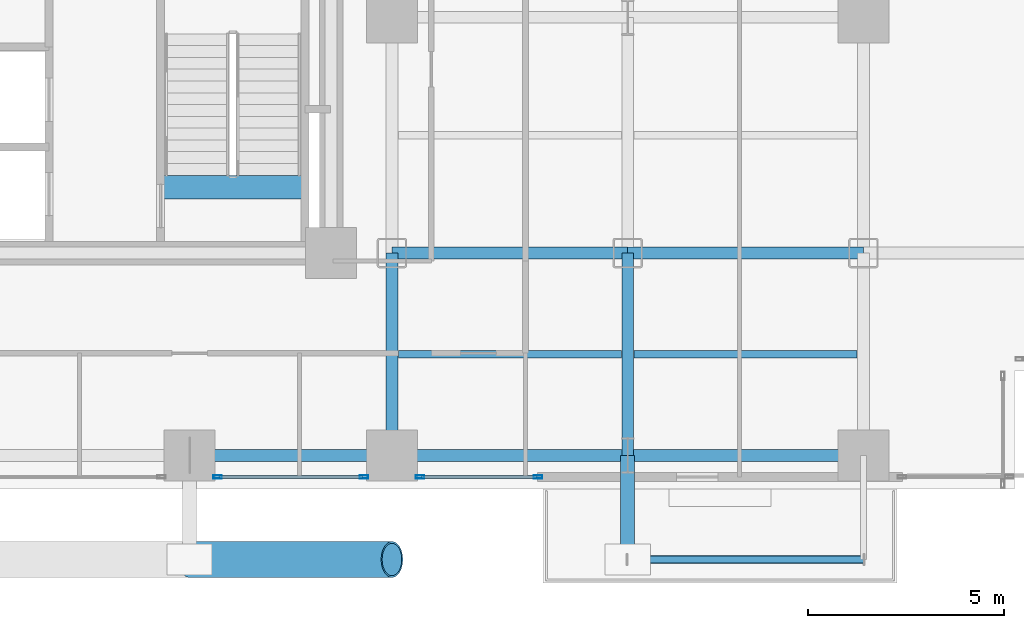
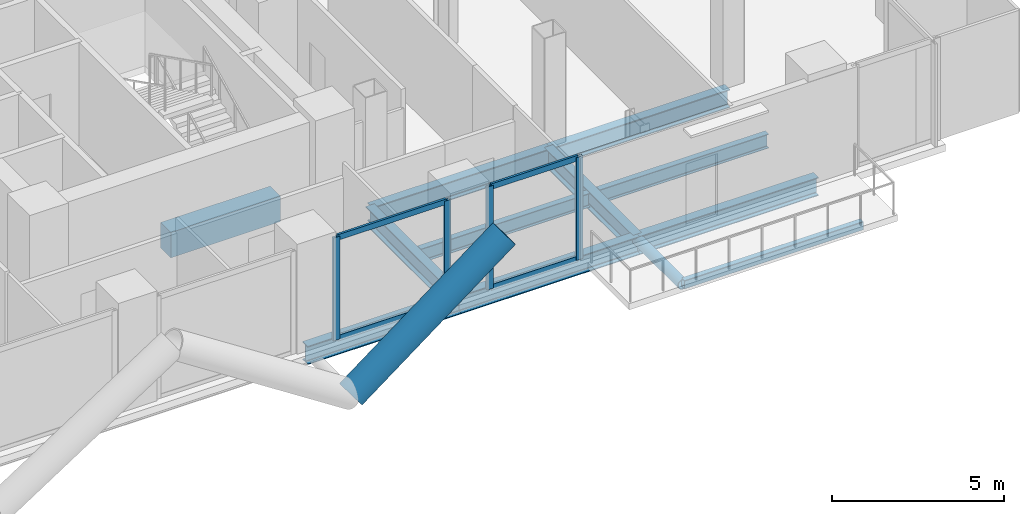
# One storey, part 8 of 27: 11 beams, 10 members, 2 elements without a shape of their own.
"""IFC4 building model written with IfcOpenShell, lengths in metres."""

from ifc_helpers import new_model, si_unit, direction, frame, origin, origin_2d, place, context, subcontext, project, spatial, rectangle, hollow_rectangle, hollow_circle, i_section, extrude, material, layer, layer_set, material_profile, profile_set, type_object, element, aggregate, save


model = new_model("IFC4")

# Units and contexts
model_context = context("Model", 3, precision=1e-05, world=origin(), true_north=direction((0.0, 1.0)))
body_context = subcontext(model_context, "Body", "Model", "MODEL_VIEW")
ifc_project = project(units=[si_unit("LENGTHUNIT", "METRE"), si_unit("AREAUNIT", "SQUARE_METRE"), si_unit("VOLUMEUNIT", "CUBIC_METRE"), si_unit("PLANEANGLEUNIT", "RADIAN"), si_unit("MASSUNIT", "GRAM", prefix="KILO"), si_unit("THERMODYNAMICTEMPERATUREUNIT", "KELVIN"), si_unit("POWERUNIT", "WATT")], contexts=[model_context])

# Site, building, storey
site_placement = place(None, origin())
site = spatial("IfcSite", under=ifc_project, at=site_placement, CompositionType="ELEMENT")
building_placement = place(site_placement, origin())
building = spatial("IfcBuilding", under=site, at=building_placement, Name="Svarakhadi Broadcast Tower", CompositionType="ELEMENT")
storey_placement = place(building_placement, frame((0.0, 0.0, 40.199951171875)))
storey = spatial("IfcBuildingStorey", under=building, at=storey_placement, Name="L08", CompositionType="ELEMENT", Elevation=40.199951171875)

# Beams
ifc_material_1 = material(Name="Steel S355J2 (IS 2062 E350C)", Category="steel")
ifc_material_profile_1 = material_profile(ifc_material_1, i_section(OverallWidth=0.199951171875, OverallDepth=0.5, WebThickness=0.01025390625, FlangeThickness=0.01611328125, FilletRadius=0.02099609375, at=origin_2d()), Name="NPB 500x200x91")
ifc_profile_set_1 = profile_set([ifc_material_profile_1], Name="Steel S355J2 (IS 2062 E350C)")
beam_type_1 = type_object("IfcBeamType", Name="Beam_NPB500", PredefinedType="BEAM", material=ifc_profile_set_1)
for number, where, z_axis, x_axis, name in (
    (1, (35.31005859375, 3.425048828125, -0.5), (1.0, 0.0, 0.0), (0.0, 1.0, 0.0), "L08 Secondary Composite Beam SB022"),
    (2, (41.31005859375, 3.425048828125, -0.5), (1.0, 0.0, 0.0), (0.0, 1.0, 0.0), "L08 Secondary Composite Beam SB025"),
):
    element("IfcBeam", number, at=place(storey_placement, frame(where, z_axis=z_axis, x_axis=x_axis)), inside=storey, type_object=beam_type_1, Name=name, PredefinedType="BEAM", context=body_context, shape_type="SweptSolid", body=[
        extrude(i_section(OverallWidth=0.199951171875, OverallDepth=0.5, WebThickness=0.01025390625, FlangeThickness=0.01611328125, FilletRadius=0.02099609375, at=origin_2d()), origin(), (0.0, 0.0, 1.0), 5.679931640625),
    ])

# Curtain wall, members
ifc_material_2 = material(Name="Anodised Bronze Aluminium AA 6063-T6", Category="aluminium")
ifc_layer = layer(ifc_material_2, 0.219970703125)
ifc_layer_set = layer_set([ifc_layer], Name="Anodised Bronze Aluminium AA 6063-T6")
curtain_wall_type = type_object("IfcCurtainWallType", Name="CW_Sys_02", PredefinedType="NOTDEFINED", material=ifc_layer_set)
curtain_wall_1_placement = place(storey_placement, origin())
curtain_wall_1 = element("IfcCurtainWall", 3, at=curtain_wall_1_placement, inside=storey, type_object=curtain_wall_type, Name="L08 South Curtain Wall 17 Bay 1", PredefinedType="NOTDEFINED")
ifc_material_profile_2 = material_profile(ifc_material_2, hollow_rectangle(XDim=0.0849609375, YDim=0.219970703125, WallThickness=0.006103515625, at=origin_2d()), Name="ALU MULLION 220x85x6")
ifc_profile_set_2 = profile_set([ifc_material_profile_2], Name="Anodised Bronze Aluminium AA 6063-T6")
member_type_1 = type_object("IfcMemberType", Name="CW_Sys_02_Mul", PredefinedType="MULLION", material=ifc_profile_set_2)
member_1_placement = place(storey_placement, frame((38.867431640625, 0.300048828125, 0.0), z_axis=(0.0, 0.0, 1.0), x_axis=(0.0, -1.0, 0.0)))
member_1 = element("IfcMember", 4, at=member_1_placement, type_object=member_type_1, Name="CW-02 mullion 1", PredefinedType="MULLION", context=body_context, shape_type="SweptSolid", body=[
    extrude(hollow_rectangle(XDim=0.0849609375, YDim=0.219970703125, WallThickness=0.006103515625, at=origin_2d()), origin(), (0.0, 0.0, 1.0), 3.650146484375),
])
member_2_placement = place(storey_placement, frame((35.862548828125, 0.300048828125, 0.0), z_axis=(0.0, 0.0, 1.0), x_axis=(0.0, -1.0, 0.0)))
member_2 = element("IfcMember", 5, at=member_2_placement, type_object=member_type_1, Name="CW-02 mullion 2", PredefinedType="MULLION", context=body_context, shape_type="SweptSolid", body=[
    extrude(hollow_rectangle(XDim=0.0849609375, YDim=0.219970703125, WallThickness=0.006103515625, at=origin_2d()), origin(), (0.0, 0.0, 1.0), 3.650146484375),
])

curtain_wall_2_placement = place(storey_placement, origin())
curtain_wall_2 = element("IfcCurtainWall", 6, at=curtain_wall_2_placement, inside=storey, type_object=curtain_wall_type, Name="L08 South Curtain Wall 17 Bay 2", PredefinedType="NOTDEFINED")
member_3_placement = place(storey_placement, frame((34.4375, 0.300048828125, 0.0), z_axis=(0.0, 0.0, 1.0), x_axis=(0.0, -1.0, 0.0)))
member_3 = element("IfcMember", 7, at=member_3_placement, type_object=member_type_1, Name="CW-02 mullion 1", PredefinedType="MULLION", context=body_context, shape_type="SweptSolid", body=[
    extrude(hollow_rectangle(XDim=0.0849609375, YDim=0.219970703125, WallThickness=0.006103515625, at=origin_2d()), origin(), (0.0, 0.0, 1.0), 3.650146484375),
])
member_4_placement = place(storey_placement, frame((30.71240234375, 0.300048828125, 0.0), z_axis=(0.0, 0.0, 1.0), x_axis=(0.0, -1.0, 0.0)))
member_4 = element("IfcMember", 8, at=member_4_placement, type_object=member_type_1, Name="CW-02 mullion 2", PredefinedType="MULLION", context=body_context, shape_type="SweptSolid", body=[
    extrude(hollow_rectangle(XDim=0.0849609375, YDim=0.219970703125, WallThickness=0.006103515625, at=origin_2d()), origin(), (0.0, 0.0, 1.0), 3.650146484375),
])

# Member
ifc_material_profile_3 = material_profile(ifc_material_2, hollow_rectangle(XDim=0.074951171875, YDim=0.199951171875, WallThickness=0.0048828125, at=origin_2d()), Name="ALU TRANSOM 200x75x5")
ifc_profile_set_3 = profile_set([ifc_material_profile_3], Name="Anodised Bronze Aluminium AA 6063-T6")
member_type_2 = type_object("IfcMemberType", Name="CW_Sys_02_Trn", PredefinedType="USERDEFINED", material=ifc_profile_set_3)
member_5_placement = place(storey_placement, frame((38.824951171875, 0.300048828125, 0.03759765625), z_axis=(-1.0, 0.0, 0.0), x_axis=(0.0, -1.0, 0.0)))
member_5 = element("IfcMember", 9, at=member_5_placement, type_object=member_type_2, Name="CW-02 transom 1.1", ObjectType="TRANSOM", PredefinedType="USERDEFINED", context=body_context, shape_type="SweptSolid", body=[
    extrude(hollow_rectangle(XDim=0.074951171875, YDim=0.199951171875, WallThickness=0.0048828125, at=origin_2d()), origin(), (0.0, 0.0, 1.0), 2.919921875),
])

member_6_placement = place(storey_placement, frame((38.824951171875, 0.300048828125, 3.612548828125), z_axis=(-1.0, 0.0, 0.0), x_axis=(0.0, -1.0, 0.0)))
member_6 = element("IfcMember", 10, at=member_6_placement, type_object=member_type_2, Name="CW-02 transom 1.2", ObjectType="TRANSOM", PredefinedType="USERDEFINED", context=body_context, shape_type="SweptSolid", body=[
    extrude(hollow_rectangle(XDim=0.074951171875, YDim=0.199951171875, WallThickness=0.0048828125, at=origin_2d()), origin(), (0.0, 0.0, 1.0), 2.919921875),
])

aggregate(curtain_wall_1, [member_1, member_2, member_5, member_6])

member_7_placement = place(storey_placement, frame((34.39501953125, 0.300048828125, 0.03759765625), z_axis=(-1.0, 0.0, 0.0), x_axis=(0.0, -1.0, 0.0)))
member_7 = element("IfcMember", 11, at=member_7_placement, type_object=member_type_2, Name="CW-02 transom 1.1", ObjectType="TRANSOM", PredefinedType="USERDEFINED", context=body_context, shape_type="SweptSolid", body=[
    extrude(hollow_rectangle(XDim=0.074951171875, YDim=0.199951171875, WallThickness=0.0048828125, at=origin_2d()), origin(), (0.0, 0.0, 1.0), 3.64013671875),
])

member_8_placement = place(storey_placement, frame((34.39501953125, 0.300048828125, 3.612548828125), z_axis=(-1.0, 0.0, 0.0), x_axis=(0.0, -1.0, 0.0)))
member_8 = element("IfcMember", 12, at=member_8_placement, type_object=member_type_2, Name="CW-02 transom 1.2", ObjectType="TRANSOM", PredefinedType="USERDEFINED", context=body_context, shape_type="SweptSolid", body=[
    extrude(hollow_rectangle(XDim=0.074951171875, YDim=0.199951171875, WallThickness=0.0048828125, at=origin_2d()), origin(), (0.0, 0.0, 1.0), 3.64013671875),
])

aggregate(curtain_wall_2, [member_3, member_4, member_7, member_8])

# Beam
ifc_material_3 = material(Name="Concrete C50/60 (IS 456 M60)", Category="concrete")
ifc_material_profile_4 = material_profile(ifc_material_3, rectangle(XDim=0.60009765625, YDim=0.89990234375, at=origin_2d()), Name="RC 600x900")
ifc_profile_set_4 = profile_set([ifc_material_profile_4], Name="Concrete C50/60 (IS 456 M60)")
beam_type_2 = type_object("IfcBeamType", Name="Coupling_RC600", PredefinedType="USERDEFINED", material=ifc_profile_set_4)
beam_1_placement = place(storey_placement, frame((29.260009765625, 7.679931640625, -0.449951171875), z_axis=(1.0, 0.0, 0.0), x_axis=(0.0, 1.0, 0.0)))
element("IfcBeam", 13, at=beam_1_placement, inside=storey, type_object=beam_type_2, Name="L08 Stair ST-02 Landing Throat Trimmer Beam CB-01", ObjectType="GIRDER", PredefinedType="USERDEFINED", context=body_context, shape_type="SweptSolid", body=[
    extrude(rectangle(XDim=0.60009765625, YDim=0.89990234375, at=origin_2d()), origin(), (0.0, 0.0, 1.0), 3.679931640625),
])

# Members
ifc_material_4 = material(Name="Steel S460ML (IS 2062 E450BR)", Category="steel")
ifc_material_profile_5 = material_profile(ifc_material_4, hollow_circle(Radius=0.45703125, WallThickness=0.044921875, at=origin_2d()), Name="CHS 914x45")
ifc_profile_set_5 = profile_set([ifc_material_profile_5], Name="Steel S460ML (IS 2062 E450BR)")
member_type_3 = type_object("IfcMemberType", Name="Exo_Brace_CHS914", PredefinedType="BRACE", material=ifc_profile_set_5)
member_9_placement = place(storey_placement, frame((30.0, -1.800048828125, -0.427734375), z_axis=(0.797206791841, 0.0, 0.603706328476), x_axis=(0.0, 1.0, 0.0)))
element("IfcMember", 14, at=member_9_placement, inside=storey, type_object=member_type_3, Name="L08 Exposed Bronze Exoskeleton Diagonal S05", PredefinedType="BRACE", context=body_context, shape_type="SweptSolid", body=[
    extrude(hollow_circle(Radius=0.45703125, WallThickness=0.044921875, at=origin_2d()), origin(), (0.0, 0.0, 1.0), 6.4599609375),
])
ifc_material_profile_6 = material_profile(ifc_material_4, hollow_circle(Radius=0.177734375, WallThickness=0.02001953125, at=origin_2d()), Name="CHS 355.6x20")
ifc_profile_set_6 = profile_set([ifc_material_profile_6], Name="Steel S460ML (IS 2062 E450BR)")
member_type_4 = type_object("IfcMemberType", Name="Exo_Radial_Strut_Z1", PredefinedType="STRUT", material=ifc_profile_set_6)
member_10_placement = place(storey_placement, frame((41.14990234375, -1.800048828125, -0.427734375), z_axis=(0.0, 1.0, 0.0), x_axis=(-1.0, 0.0, 0.0)))
element("IfcMember", 15, at=member_10_placement, inside=storey, type_object=member_type_4, Name="L08 Exoskeleton Radial Tie Strut S04", PredefinedType="STRUT", context=body_context, shape_type="SweptSolid", body=[
    extrude(hollow_circle(Radius=0.177734375, WallThickness=0.02001953125, at=origin_2d()), origin(), (0.0, 0.0, 1.0), 2.650146484375),
])

# Beams
ifc_material_profile_7 = material_profile(ifc_material_1, i_section(OverallWidth=0.300048828125, OverallDepth=0.64990234375, WebThickness=0.01611328125, FlangeThickness=0.031005859375, FilletRadius=0.027099609375, at=origin_2d()), Name="WPB 650x300x225")
ifc_profile_set_7 = profile_set([ifc_material_profile_7], Name="Steel S355J2 (IS 2062 E350C)")
beam_type_3 = type_object("IfcBeamType", Name="Girder_WPB650", PredefinedType="USERDEFINED", material=ifc_profile_set_7)
beam_2_placement = place(storey_placement, frame((30.0, 0.85009765625, -0.574951171875), z_axis=(1.0, 0.0, 0.0), x_axis=(0.0, 1.0, 0.0)))
element("IfcBeam", 16, at=beam_2_placement, inside=storey, type_object=beam_type_3, Name="L08 Primary E-W Girder G008", ObjectType="GIRDER", PredefinedType="USERDEFINED", context=body_context, shape_type="SweptSolid", body=[
    extrude(i_section(OverallWidth=0.300048828125, OverallDepth=0.64990234375, WebThickness=0.01611328125, FlangeThickness=0.031005859375, FilletRadius=0.027099609375, at=origin_2d()), origin(), (0.0, 0.0, 1.0), 5.14990234375),
])
for number, where, z_axis, x_axis, name in (
    (17, (35.14990234375, 0.85009765625, -0.574951171875), (1.0, 0.0, 0.0), (0.0, 1.0, 0.0), "L08 Primary E-W Girder G009"),
    (18, (41.14990234375, 0.85009765625, -0.574951171875), (1.0, 0.0, 0.0), (0.0, 1.0, 0.0), "L08 Primary E-W Girder G010"),
    (19, (35.14990234375, 6.0, -0.574951171875), (1.0, 0.0, 0.0), (0.0, 1.0, 0.0), "L08 Primary E-W Girder G016"),
    (20, (41.14990234375, 6.0, -0.574951171875), (1.0, 0.0, 0.0), (0.0, 1.0, 0.0), "L08 Primary E-W Girder G017"),
):
    element("IfcBeam", number, at=place(storey_placement, frame(where, z_axis=z_axis, x_axis=x_axis)), inside=storey, type_object=beam_type_3, Name=name, ObjectType="GIRDER", PredefinedType="USERDEFINED", context=body_context, shape_type="SweptSolid", body=[
        extrude(i_section(OverallWidth=0.300048828125, OverallDepth=0.64990234375, WebThickness=0.01611328125, FlangeThickness=0.031005859375, FilletRadius=0.027099609375, at=origin_2d()), origin(), (0.0, 0.0, 1.0), 6.0),
    ])
for number, where, z_axis, x_axis, name in (
    (21, (35.14990234375, 0.85009765625, -0.574951171875), (0.0, 1.0, 0.0), (-1.0, 0.0, 0.0), "L08 Primary N-S Girder G076"),
    (22, (41.14990234375, 0.85009765625, -0.574951171875), (0.0, 1.0, 0.0), (-1.0, 0.0, 0.0), "L08 Primary N-S Girder G079"),
):
    element("IfcBeam", number, at=place(storey_placement, frame(where, z_axis=z_axis, x_axis=x_axis)), inside=storey, type_object=beam_type_3, Name=name, ObjectType="GIRDER", PredefinedType="USERDEFINED", context=body_context, shape_type="SweptSolid", body=[
        extrude(i_section(OverallWidth=0.300048828125, OverallDepth=0.64990234375, WebThickness=0.01611328125, FlangeThickness=0.031005859375, FilletRadius=0.027099609375, at=origin_2d()), origin(), (0.0, 0.0, 1.0), 5.14990234375),
    ])
ifc_material_profile_8 = material_profile(ifc_material_4, hollow_rectangle(XDim=0.199951171875, YDim=0.300048828125, WallThickness=0.012451171875, InnerFilletRadius=0.012451171875, OuterFilletRadius=0.02490234375, at=origin_2d()), Name="RHS 300x200x12.5")
ifc_profile_set_8 = profile_set([ifc_material_profile_8], Name="Steel S460ML (IS 2062 E450BR)")
beam_type_4 = type_object("IfcBeamType", Name="Spandrel_RHS300", PredefinedType="SPANDREL", material=ifc_profile_set_8)
beam_3_placement = place(storey_placement, frame((41.14990234375, -1.800048828125, -0.39990234375), z_axis=(1.0, 0.0, 0.0), x_axis=(0.0, 1.0, 0.0)))
element("IfcBeam", 23, at=beam_3_placement, inside=storey, type_object=beam_type_4, Name="L08 Balcony Outer Spandrel 1F", PredefinedType="SPANDREL", context=body_context, shape_type="SweptSolid", body=[
    extrude(hollow_rectangle(XDim=0.199951171875, YDim=0.300048828125, WallThickness=0.012451171875, InnerFilletRadius=0.012451171875, OuterFilletRadius=0.02490234375, at=origin_2d()), origin(), (0.0, 0.0, 1.0), 6.0),
])

save(model, "model.ifc")
